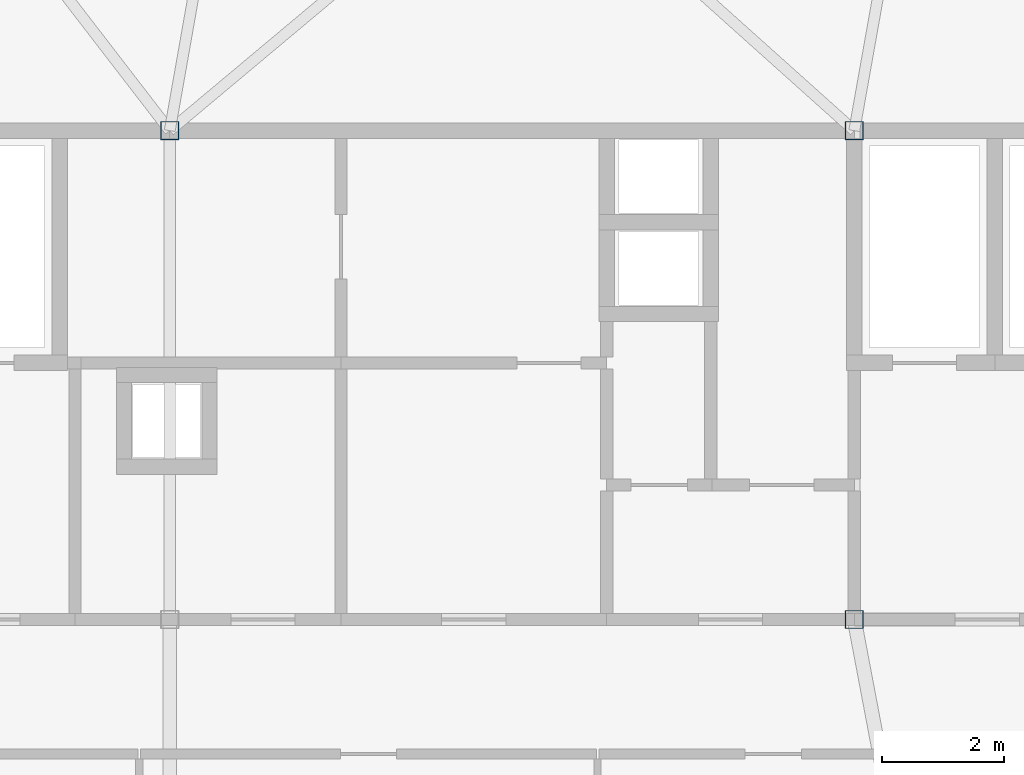
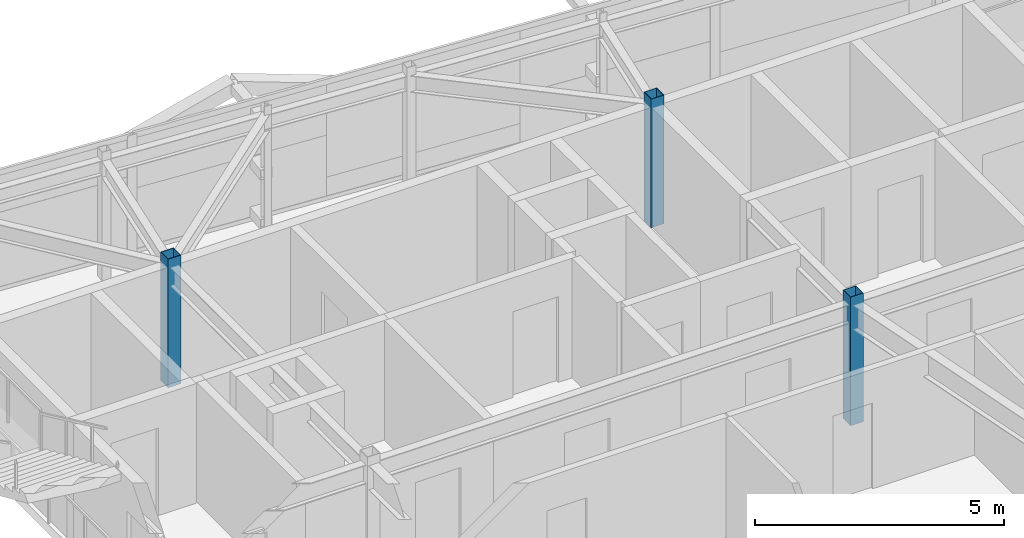
# One storey, part 4 of 34: 3 columns.
"""IFC4 building model written with IfcOpenShell, lengths in metres."""

from ifc_helpers import new_model, si_unit, direction, frame, origin, origin_2d, place, context, subcontext, project, spatial, hollow_rectangle, extrude, source, transform, mapped, material, material_profile, profile_set, type_object, element, save


model = new_model("IFC4")

# Units and contexts
model_context = context("Model", 3, precision=1e-05, world=origin(), true_north=direction((0.0, 1.0)))
body_context = subcontext(model_context, "Body", "Model", "MODEL_VIEW")
ifc_project = project(units=[si_unit("LENGTHUNIT", "METRE"), si_unit("AREAUNIT", "SQUARE_METRE"), si_unit("VOLUMEUNIT", "CUBIC_METRE"), si_unit("PLANEANGLEUNIT", "RADIAN"), si_unit("MASSUNIT", "GRAM", prefix="KILO")], contexts=[model_context])

# Site, building, storey
site_placement = place(None, origin())
site = spatial("IfcSite", under=ifc_project, at=site_placement, CompositionType="ELEMENT")
building_placement = place(site_placement, origin())
building = spatial("IfcBuilding", under=site, at=building_placement, Name="Taldren Reach Tower", CompositionType="ELEMENT")
storey_placement = place(building_placement, frame((0.0, 0.0, 246.050048828125)))
storey = spatial("IfcBuildingStorey", under=building, at=storey_placement, Name="L75", CompositionType="ELEMENT", Elevation=246.050048828125)

# Columns
ifc_material = material(Name="Steel Gr 450 (C450L0)", Category="steel")
ifc_material_profile = material_profile(ifc_material, hollow_rectangle(XDim=0.300048828125, YDim=0.300048828125, WallThickness=0.012451171875, at=origin_2d()), Name="300x300x12.5SHS")
ifc_profile_set = profile_set([ifc_material_profile], Name="Steel Gr 450 (C450L0)")
column_type = type_object("IfcColumnType", Name="COL-SHS300", PredefinedType="COLUMN", material=ifc_profile_set)
shared_shape = source(origin(), body_context, "Body", "SweptSolid", [
    extrude(hollow_rectangle(XDim=0.300048828125, YDim=0.300048828125, WallThickness=0.012451171875, at=origin_2d()), origin(), (0.0, 0.0, 1.0), 3.14990234375),
])
for number, where, z_axis, x_axis, name in (
    (1, (39.199951171875, 24.0, 0.0), (0.0, 0.0, 1.0), (1.0, 0.0, 0.0), "Mega column MC-C3 L75"),
    (2, (28.0, 32.0, 0.0), (0.0, 0.0, 1.0), (1.0, 0.0, 0.0), "Mega column MC-C6 L75"),
    (3, (39.199951171875, 32.0, 0.0), (0.0, 0.0, 1.0), (1.0, 0.0, 0.0), "Mega column MC-C7 L75"),
):
    element("IfcColumn", number, at=place(storey_placement, frame(where, z_axis=z_axis, x_axis=x_axis)), inside=storey, type_object=column_type, Name=name, PredefinedType="COLUMN", context=body_context, shape_type="MappedRepresentation", body=[
        mapped(shared_shape, transform((0.0, 0.0, 0.0), scale=1.0)),
    ])

save(model, "model.ifc")
